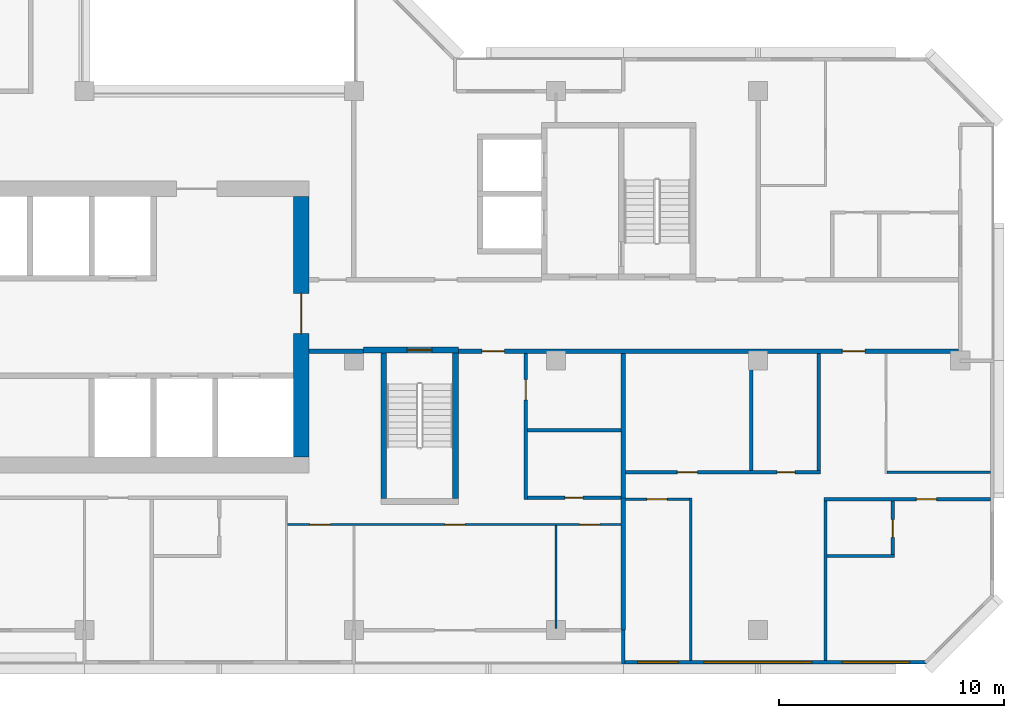
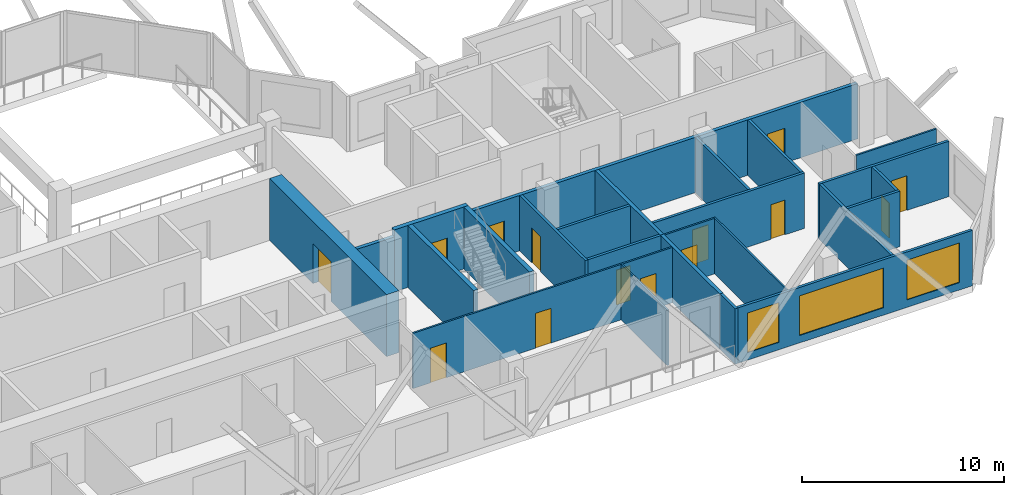
# One storey, part 6 of 15: 25 walls, 14 doors, 3 windows, 17 openings.
"""IFC4 building model written with IfcOpenShell, lengths in metres."""

from ifc_helpers import new_model, si_unit, direction, frame, frame_2d, origin, place, context, subcontext, project, spatial, rectangle, extrude, material, layer, layer_set, type_object, element, fill, save


model = new_model("IFC4")

# Units and contexts
model_context = context("Model", 3, precision=1e-05, world=origin(), true_north=direction((0.0, 1.0)))
body_context = subcontext(model_context, "Body", "Model", "MODEL_VIEW")
ifc_project = project(units=[si_unit("LENGTHUNIT", "METRE"), si_unit("AREAUNIT", "SQUARE_METRE"), si_unit("VOLUMEUNIT", "CUBIC_METRE"), si_unit("PLANEANGLEUNIT", "RADIAN"), si_unit("MASSUNIT", "GRAM", prefix="KILO")], contexts=[model_context])

# Site, building, storey
site_placement = place(None, origin())
site = spatial("IfcSite", under=ifc_project, at=site_placement, CompositionType="ELEMENT")
building_placement = place(site_placement, origin())
building = spatial("IfcBuilding", under=site, at=building_placement, Name="Chenar Terraces", CompositionType="ELEMENT")
storey_placement = place(building_placement, frame((0.0, 0.0, 211.64990234375)))
storey = spatial("IfcBuildingStorey", under=building, at=storey_placement, Name="L49", CompositionType="ELEMENT", Elevation=211.64990234375)

# Wall, opening, door
ifc_material_1 = material(Name="Concrete C60/75", Category="concrete")
ifc_layer_1 = layer(ifc_material_1, 0.25)
ifc_layer_set_1 = layer_set([ifc_layer_1], Name="Concrete C60/75")
wall_type_1 = type_object("IfcWallType", Name="Core wall 250 Concrete C60/75", PredefinedType="SHEAR", material=ifc_layer_set_1)
wall_1_placement = place(storey_placement, frame((36.425048828125, 12.47509765625, 0.0), z_axis=(0.0, 0.0, 1.0), x_axis=(1.0, 0.0, 0.0)))
wall_1 = element("IfcWall", 1, at=wall_1_placement, inside=storey, type_object=wall_type_1, Name="Core wall ST2_N L49", PredefinedType="SHEAR", context=body_context, shape_type="SweptSolid", body=[
    extrude(rectangle(XDim=4.224853515625, YDim=0.25, at=frame_2d((2.1123046875, 0.0))), origin(), (0.0, 0.0, 1.0), 3.75),
])
opening_1_placement = place(wall_1_placement, frame((1.949951171875, 0.0, 0.0)))
opening_1 = element("IfcOpeningElement", 2, at=opening_1_placement, cuts=wall_1, Name="Opening DL49-C7", PredefinedType="OPENING", context=body_context, shape_type="SweptSolid", body=[
    extrude(rectangle(XDim=1.10009765625, YDim=2.199951171875, at=frame_2d((0.550048828125, 1.10009765625))), frame((0.0, 0.135009765625, 0.0), z_axis=(0.0, -1.0, 0.0), x_axis=(1.0, 0.0, 0.0)), (0.0, 0.0, 1.0), 0.27001953125),
])
ifc_material_2 = material(Name="Steel-framed fire-resisting door leaf", Category="steel")
door_type_1 = type_object("IfcDoorType", Name="Stair fire door FD60 1100 x 2200", OperationType="SINGLE_SWING_LEFT", PredefinedType="DOOR", material=ifc_material_2)
door_1_placement = place(opening_1_placement, frame((1.10009765625, 0.0, 0.0), z_axis=(0.0, 0.0, 1.0), x_axis=(-1.0, 0.0, 0.0)))
door_1 = element("IfcDoor", 3, at=door_1_placement, inside=storey, type_object=door_type_1, Name="Stair door DL49-C7", OperationType="SINGLE_SWING_LEFT", OverallHeight=2.199951171875, OverallWidth=1.10009765625, PredefinedType="DOOR", context=body_context, shape_type="SweptSolid", body=[
    extrude(rectangle(XDim=1.10009765625, YDim=2.199951171875, at=frame_2d((0.550048828125, 1.10009765625))), frame((0.0, 0.02490234375, 0.0), z_axis=(0.0, -1.0, 0.0), x_axis=(1.0, 0.0, 0.0)), (0.0, 0.0, 1.0), 0.050048828125),
])
fill(opening_1, door_1)

# Walls
for number, where, z_axis, x_axis, name in (
    (4, (37.324951171875, 5.85009765625, 0.0), (0.0, 0.0, 1.0), (0.0, 1.0, 0.0), "Core wall ST2_W L49"),
    (5, (40.52490234375, 5.85009765625, 0.0), (0.0, 0.0, 1.0), (0.0, 1.0, 0.0), "Core wall ST2_E L49"),
):
    element("IfcWall", number, at=place(storey_placement, frame(where, z_axis=z_axis, x_axis=x_axis)), inside=storey, type_object=wall_type_1, Name=name, PredefinedType="SHEAR", context=body_context, shape_type="SweptSolid", body=[
        extrude(rectangle(XDim=6.5, YDim=0.25, at=frame_2d((3.25, 0.0))), origin(), (0.0, 0.0, 1.0), 3.75),
    ])

# Wall, opening, door
ifc_material_3 = material(Name="Concrete C60/75", Category="concrete")
ifc_layer_2 = layer(ifc_material_3, 0.699951171875)
ifc_layer_set_2 = layer_set([ifc_layer_2], Name="Concrete C60/75")
wall_type_2 = type_object("IfcWallType", Name="Core wall 700 Concrete C60/75", PredefinedType="SHEAR", material=ifc_layer_set_2)
wall_2_placement = place(storey_placement, frame((33.64990234375, 7.699951171875, 0.0), z_axis=(0.0, 0.0, 1.0), x_axis=(0.0, 1.0, 0.0)))
wall_2 = element("IfcWall", 6, at=wall_2_placement, inside=storey, type_object=wall_type_2, Name="Core wall E L49", PredefinedType="SHEAR", context=body_context, shape_type="SweptSolid", body=[
    extrude(rectangle(XDim=11.60009765625, YDim=0.699951171875, at=frame_2d((5.800048828125, 0.0))), origin(), (0.0, 0.0, 1.0), 3.75),
])
opening_2_placement = place(wall_2_placement, frame((5.5, 0.0, 0.0)))
opening_2 = element("IfcOpeningElement", 7, at=opening_2_placement, cuts=wall_2, Name="Opening DL49-C1", PredefinedType="OPENING", context=body_context, shape_type="SweptSolid", body=[
    extrude(rectangle(XDim=1.800048828125, YDim=2.39990234375, at=frame_2d((0.89990234375, 1.199951171875))), frame((0.0, 0.35986328125, 0.0), z_axis=(0.0, -1.0, 0.0), x_axis=(1.0, 0.0, 0.0)), (0.0, 0.0, 1.0), 0.719970703125),
])
ifc_material_4 = material(Name="Steel-framed fire-resisting door leaf", Category="steel")
door_type_2 = type_object("IfcDoorType", Name="Core entrance double fire door FD60 1800 x 2400", OperationType="DOUBLE_DOOR_SINGLE_SWING", PredefinedType="DOOR", material=ifc_material_4)
door_2_placement = place(opening_2_placement, origin())
door_2 = element("IfcDoor", 8, at=door_2_placement, inside=storey, type_object=door_type_2, Name="Core door DL49-C1", OperationType="DOUBLE_DOOR_SINGLE_SWING", OverallHeight=2.39990234375, OverallWidth=1.800048828125, PredefinedType="DOOR", context=body_context, shape_type="SweptSolid", body=[
    extrude(rectangle(XDim=1.800048828125, YDim=2.39990234375, at=frame_2d((0.89990234375, 1.199951171875))), frame((0.0, 0.02490234375, 0.0), z_axis=(0.0, -1.0, 0.0), x_axis=(1.0, 0.0, 0.0)), (0.0, 0.0, 1.0), 0.050048828125),
])
fill(opening_2, door_2)

# Wall
ifc_material_5 = material(Name="Gypsum board on steel studs with fire boards", Category="steel")
ifc_layer_3 = layer(ifc_material_5, 0.199951171875)
ifc_layer_set_3 = layer_set([ifc_layer_3], Name="Gypsum board on steel studs with fire boards")
wall_type_3 = type_object("IfcWallType", Name="Corridor wall 200", PredefinedType="PARTITIONING", material=ifc_layer_set_3)
wall_3_placement = place(storey_placement, frame((34.0, 12.425048828125, 0.0), z_axis=(0.0, 0.0, 1.0), x_axis=(1.0, 0.0, 0.0)))
element("IfcWall", 9, at=wall_3_placement, inside=storey, type_object=wall_type_3, Name="Partition L49-059", PredefinedType="PARTITIONING", context=body_context, shape_type="SweptSolid", body=[
    extrude(rectangle(XDim=2.426025390625, YDim=0.199951171875, at=frame_2d((1.212890625, 0.0))), origin(), (0.0, 0.0, 1.0), 3.35009765625),
])

# Wall, openings, doors
wall_4_placement = place(storey_placement, frame((40.64990234375, 12.425048828125, 0.0), z_axis=(0.0, 0.0, 1.0), x_axis=(1.0, 0.0, 0.0)))
wall_4 = element("IfcWall", 10, at=wall_4_placement, inside=storey, type_object=wall_type_3, Name="Partition L49-063", PredefinedType="PARTITIONING", context=body_context, shape_type="SweptSolid", body=[
    extrude(rectangle(XDim=22.276123046875, YDim=0.199951171875, at=frame_2d((11.13818359375, 0.0))), origin(), (0.0, 0.0, 1.0), 3.35009765625),
])
opening_3_placement = place(wall_4_placement, frame((17.10009765625, 0.0, 0.0)))
opening_3 = element("IfcOpeningElement", 11, at=opening_3_placement, cuts=wall_4, Name="Opening DL49-13", PredefinedType="OPENING", context=body_context, shape_type="SweptSolid", body=[
    extrude(rectangle(XDim=1.0, YDim=2.10009765625, at=frame_2d((0.5, 1.050048828125))), frame((0.0, 0.10986328125, 0.0), z_axis=(0.0, -1.0, 0.0), x_axis=(1.0, 0.0, 0.0)), (0.0, 0.0, 1.0), 0.219970703125),
])
opening_4_placement = place(wall_4_placement, frame((1.050048828125, 0.0, 0.0)))
opening_4 = element("IfcOpeningElement", 12, at=opening_4_placement, cuts=wall_4, Name="Opening DL49-53", PredefinedType="OPENING", context=body_context, shape_type="SweptSolid", body=[
    extrude(rectangle(XDim=1.0, YDim=2.10009765625, at=frame_2d((0.5, 1.050048828125))), frame((0.0, 0.10986328125, 0.0), z_axis=(0.0, -1.0, 0.0), x_axis=(1.0, 0.0, 0.0)), (0.0, 0.0, 1.0), 0.219970703125),
])
ifc_material_6 = material(Name="Steel-framed fire-resisting door leaf", Category="steel")
door_type_3 = type_object("IfcDoorType", Name="Fire door FD30S 1000 x 2100", OperationType="SINGLE_SWING_LEFT", PredefinedType="DOOR", material=ifc_material_6)
door_3_placement = place(opening_3_placement, frame((1.0, 0.0, 0.0), z_axis=(0.0, 0.0, 1.0), x_axis=(-1.0, 0.0, 0.0)))
door_3 = element("IfcDoor", 13, at=door_3_placement, inside=storey, type_object=door_type_3, Name="Door DL49-13", OperationType="SINGLE_SWING_LEFT", OverallHeight=2.10009765625, OverallWidth=1.0, PredefinedType="DOOR", context=body_context, shape_type="SweptSolid", body=[
    extrude(rectangle(XDim=1.0, YDim=2.10009765625, at=frame_2d((0.5, 1.050048828125))), frame((0.0, 0.02490234375, 0.0), z_axis=(0.0, -1.0, 0.0), x_axis=(1.0, 0.0, 0.0)), (0.0, 0.0, 1.0), 0.050048828125),
])
fill(opening_3, door_3)
door_4_placement = place(opening_4_placement, origin())
door_4 = element("IfcDoor", 14, at=door_4_placement, inside=storey, type_object=door_type_3, Name="Door DL49-53", OperationType="SINGLE_SWING_LEFT", OverallHeight=2.10009765625, OverallWidth=1.0, PredefinedType="DOOR", context=body_context, shape_type="SweptSolid", body=[
    extrude(rectangle(XDim=1.0, YDim=2.10009765625, at=frame_2d((0.5, 1.050048828125))), frame((0.0, 0.02490234375, 0.0), z_axis=(0.0, -1.0, 0.0), x_axis=(1.0, 0.0, 0.0)), (0.0, 0.0, 1.0), 0.050048828125),
])
fill(opening_4, door_4)

# Wall, openings, windows
ifc_material_7 = material(Name="Aluminium framed glazing", Category="aluminium")
ifc_layer_4 = layer(ifc_material_7, 0.14990234375)
ifc_layer_set_4 = layer_set([ifc_layer_4], Name="Aluminium framed glazing")
wall_type_4 = type_object("IfcWallType", Name="Glazed flush facade wall 150", PredefinedType="SOLIDWALL", material=ifc_layer_set_4)
wall_5_placement = place(storey_placement, frame((48.074951171875, -1.425048828125, 0.0), z_axis=(0.0, 0.0, 1.0), x_axis=(1.0, 0.0, 0.0)))
wall_5 = element("IfcWall", 15, at=wall_5_placement, inside=storey, type_object=wall_type_4, Name="Glazed flush facade wall", PredefinedType="SOLIDWALL", context=body_context, shape_type="SweptSolid", body=[
    extrude(rectangle(XDim=13.425048828125, YDim=0.14990234375, at=frame_2d((6.71240234375, 0.0))), origin(), (0.0, 0.0, 1.0), 3.35009765625),
])
opening_5_placement = place(wall_5_placement, frame((0.5625, 0.0, 0.449951171875)))
opening_5 = element("IfcOpeningElement", 16, at=opening_5_placement, cuts=wall_5, Name="Opening W180x240", PredefinedType="OPENING", context=body_context, shape_type="SweptSolid", body=[
    extrude(rectangle(XDim=1.800048828125, YDim=2.39990234375, at=frame_2d((0.89990234375, 1.199951171875))), frame((0.0, 0.0849609375, 0.0), z_axis=(0.0, -1.0, 0.0), x_axis=(1.0, 0.0, 0.0)), (0.0, 0.0, 1.0), 0.169921875),
])
opening_6_placement = place(wall_5_placement, frame((3.52490234375, 0.0, 0.449951171875)))
opening_6 = element("IfcOpeningElement", 17, at=opening_6_placement, cuts=wall_5, Name="Opening W480x240", PredefinedType="OPENING", context=body_context, shape_type="SweptSolid", body=[
    extrude(rectangle(XDim=4.800048828125, YDim=2.39990234375, at=frame_2d((2.39990234375, 1.199951171875))), frame((0.0, 0.0849609375, 0.0), z_axis=(0.0, -1.0, 0.0), x_axis=(1.0, 0.0, 0.0)), (0.0, 0.0, 1.0), 0.169921875),
])
opening_7_placement = place(wall_5_placement, frame((9.675048828125, 0.0, 0.449951171875)))
opening_7 = element("IfcOpeningElement", 18, at=opening_7_placement, cuts=wall_5, Name="Opening W300x240", PredefinedType="OPENING", context=body_context, shape_type="SweptSolid", body=[
    extrude(rectangle(XDim=3.0, YDim=2.39990234375, at=frame_2d((1.5, 1.199951171875))), frame((0.0, 0.0849609375, 0.0), z_axis=(0.0, -1.0, 0.0), x_axis=(1.0, 0.0, 0.0)), (0.0, 0.0, 1.0), 0.169921875),
])
ifc_material_8 = material(Name="Low emissivity double glazing, aluminium frame", Category="aluminium")
window_type_1 = type_object("IfcWindowType", Name="Fixed light 1800 x 2400", PartitioningType="SINGLE_PANEL", PredefinedType="WINDOW", material=ifc_material_8)
window_1_placement = place(opening_5_placement, origin())
window_1 = element("IfcWindow", 19, at=window_1_placement, inside=storey, type_object=window_type_1, Name="Window", OverallHeight=2.39990234375, OverallWidth=1.800048828125, PartitioningType="SINGLE_PANEL", PredefinedType="WINDOW", context=body_context, shape_type="SweptSolid", body=[
    extrude(rectangle(XDim=1.800048828125, YDim=2.39990234375, at=frame_2d((0.89990234375, 1.199951171875))), frame((0.0, 0.030029296875, 0.0), z_axis=(0.0, -1.0, 0.0), x_axis=(1.0, 0.0, 0.0)), (0.0, 0.0, 1.0), 0.06005859375),
])
fill(opening_5, window_1)
ifc_material_9 = material(Name="Low emissivity double glazing, aluminium frame", Category="aluminium")
window_type_2 = type_object("IfcWindowType", Name="Fixed light 3000 x 2400", PartitioningType="SINGLE_PANEL", PredefinedType="WINDOW", material=ifc_material_9)
window_2_placement = place(opening_7_placement, origin())
window_2 = element("IfcWindow", 20, at=window_2_placement, inside=storey, type_object=window_type_2, Name="Window", OverallHeight=2.39990234375, OverallWidth=3.0, PartitioningType="SINGLE_PANEL", PredefinedType="WINDOW", context=body_context, shape_type="SweptSolid", body=[
    extrude(rectangle(XDim=3.0, YDim=2.39990234375, at=frame_2d((1.5, 1.199951171875))), frame((0.0, 0.030029296875, 0.0), z_axis=(0.0, -1.0, 0.0), x_axis=(1.0, 0.0, 0.0)), (0.0, 0.0, 1.0), 0.06005859375),
])
fill(opening_7, window_2)
ifc_material_10 = material(Name="Low emissivity double glazing, aluminium frame", Category="aluminium")
window_type_3 = type_object("IfcWindowType", Name="Fixed light 4800 x 2400", PartitioningType="SINGLE_PANEL", PredefinedType="WINDOW", material=ifc_material_10)
window_3_placement = place(opening_6_placement, origin())
window_3 = element("IfcWindow", 21, at=window_3_placement, inside=storey, type_object=window_type_3, Name="Window", OverallHeight=2.39990234375, OverallWidth=4.800048828125, PartitioningType="SINGLE_PANEL", PredefinedType="WINDOW", context=body_context, shape_type="SweptSolid", body=[
    extrude(rectangle(XDim=4.800048828125, YDim=2.39990234375, at=frame_2d((2.39990234375, 1.199951171875))), frame((0.0, 0.030029296875, 0.0), z_axis=(0.0, -1.0, 0.0), x_axis=(1.0, 0.0, 0.0)), (0.0, 0.0, 1.0), 0.06005859375),
])
fill(opening_6, window_3)

# Wall, openings, doors
ifc_material_11 = material(Name="Gypsum board on steel studs", Category="steel")
ifc_layer_5 = layer(ifc_material_11, 0.10009765625)
ifc_layer_set_5 = layer_set([ifc_layer_5], Name="Gypsum board on steel studs")
wall_type_5 = type_object("IfcWallType", Name="Gypsum partition 100", PredefinedType="PARTITIONING", material=ifc_layer_set_5)
wall_6_placement = place(storey_placement, frame((33.050048828125, 4.699951171875, 0.0), z_axis=(0.0, 0.0, 1.0), x_axis=(1.0, 0.0, 0.0)))
wall_6 = element("IfcWall", 22, at=wall_6_placement, inside=storey, type_object=wall_type_5, Name="Partition L49-058", PredefinedType="PARTITIONING", context=body_context, shape_type="SweptSolid", body=[
    extrude(rectangle(XDim=14.849853515625, YDim=0.10009765625, at=frame_2d((7.4248046875, 0.0))), origin(), (0.0, 0.0, 1.0), 3.35009765625),
])
opening_8_placement = place(wall_6_placement, frame((1.0, 0.0, 0.0)))
opening_8 = element("IfcOpeningElement", 23, at=opening_8_placement, cuts=wall_6, Name="Opening DL49-47", PredefinedType="OPENING", context=body_context, shape_type="SweptSolid", body=[
    extrude(rectangle(XDim=0.89990234375, YDim=2.10009765625, at=frame_2d((0.449951171875, 1.050048828125))), frame((0.0, 0.06005859375, 0.0), z_axis=(0.0, -1.0, 0.0), x_axis=(1.0, 0.0, 0.0)), (0.0, 0.0, 1.0), 0.1201171875),
])
opening_9_placement = place(wall_6_placement, frame((13.0, 0.0, 0.0)))
opening_9 = element("IfcOpeningElement", 24, at=opening_9_placement, cuts=wall_6, Name="Opening DL49-48", PredefinedType="OPENING", context=body_context, shape_type="SweptSolid", body=[
    extrude(rectangle(XDim=0.89990234375, YDim=2.10009765625, at=frame_2d((0.449951171875, 1.050048828125))), frame((0.0, 0.06005859375, 0.0), z_axis=(0.0, -1.0, 0.0), x_axis=(1.0, 0.0, 0.0)), (0.0, 0.0, 1.0), 0.1201171875),
])
opening_10_placement = place(wall_6_placement, frame((7.0, 0.0, 0.0)))
opening_10 = element("IfcOpeningElement", 25, at=opening_10_placement, cuts=wall_6, Name="Opening DL49-56", PredefinedType="OPENING", context=body_context, shape_type="SweptSolid", body=[
    extrude(rectangle(XDim=0.89990234375, YDim=2.10009765625, at=frame_2d((0.449951171875, 1.050048828125))), frame((0.0, 0.06005859375, 0.0), z_axis=(0.0, -1.0, 0.0), x_axis=(1.0, 0.0, 0.0)), (0.0, 0.0, 1.0), 0.1201171875),
])
ifc_material_12 = material(Name="Veneered timber door leaf", Category="wood")
door_type_4 = type_object("IfcDoorType", Name="Door 900 x 2100", OperationType="SINGLE_SWING_LEFT", PredefinedType="DOOR", material=ifc_material_12)
door_5_placement = place(opening_8_placement, frame((0.89990234375, 0.0, 0.0), z_axis=(0.0, 0.0, 1.0), x_axis=(-1.0, 0.0, 0.0)))
door_5 = element("IfcDoor", 26, at=door_5_placement, inside=storey, type_object=door_type_4, Name="Door DL49-47", OperationType="SINGLE_SWING_LEFT", OverallHeight=2.10009765625, OverallWidth=0.89990234375, PredefinedType="DOOR", context=body_context, shape_type="SweptSolid", body=[
    extrude(rectangle(XDim=0.89990234375, YDim=2.10009765625, at=frame_2d((0.449951171875, 1.050048828125))), frame((0.0, 0.02490234375, 0.0), z_axis=(0.0, -1.0, 0.0), x_axis=(1.0, 0.0, 0.0)), (0.0, 0.0, 1.0), 0.050048828125),
])
fill(opening_8, door_5)
door_6_placement = place(opening_9_placement, frame((0.89990234375, 0.0, 0.0), z_axis=(0.0, 0.0, 1.0), x_axis=(-1.0, 0.0, 0.0)))
door_6 = element("IfcDoor", 27, at=door_6_placement, inside=storey, type_object=door_type_4, Name="Door DL49-48", OperationType="SINGLE_SWING_LEFT", OverallHeight=2.10009765625, OverallWidth=0.89990234375, PredefinedType="DOOR", context=body_context, shape_type="SweptSolid", body=[
    extrude(rectangle(XDim=0.89990234375, YDim=2.10009765625, at=frame_2d((0.449951171875, 1.050048828125))), frame((0.0, 0.02490234375, 0.0), z_axis=(0.0, -1.0, 0.0), x_axis=(1.0, 0.0, 0.0)), (0.0, 0.0, 1.0), 0.050048828125),
])
fill(opening_9, door_6)
door_7_placement = place(opening_10_placement, frame((0.89990234375, 0.0, 0.0), z_axis=(0.0, 0.0, 1.0), x_axis=(-1.0, 0.0, 0.0)))
door_7 = element("IfcDoor", 28, at=door_7_placement, inside=storey, type_object=door_type_4, Name="Door DL49-56", OperationType="SINGLE_SWING_LEFT", OverallHeight=2.10009765625, OverallWidth=0.89990234375, PredefinedType="DOOR", context=body_context, shape_type="SweptSolid", body=[
    extrude(rectangle(XDim=0.89990234375, YDim=2.10009765625, at=frame_2d((0.449951171875, 1.050048828125))), frame((0.0, 0.02490234375, 0.0), z_axis=(0.0, -1.0, 0.0), x_axis=(1.0, 0.0, 0.0)), (0.0, 0.0, 1.0), 0.050048828125),
])
fill(opening_10, door_7)

# Wall
wall_7_placement = place(storey_placement, frame((45.0, 0.073974609375, 0.0), z_axis=(0.0, 0.0, 1.0), x_axis=(0.0, 1.0, 0.0)))
element("IfcWall", 29, at=wall_7_placement, inside=storey, type_object=wall_type_5, Name="Partition L49-067", PredefinedType="PARTITIONING", context=body_context, shape_type="SweptSolid", body=[
    extrude(rectangle(XDim=4.575927734375, YDim=0.10009765625, at=frame_2d((2.2880859375, 0.0))), origin(), (0.0, 0.0, 1.0), 3.35009765625),
])

# Wall, opening, door
wall_8_placement = place(storey_placement, frame((48.10009765625, 5.824951171875, 0.0), z_axis=(0.0, 0.0, 1.0), x_axis=(1.0, 0.0, 0.0)))
wall_8 = element("IfcWall", 30, at=wall_8_placement, inside=storey, type_object=wall_type_5, Name="Partition L49-071", PredefinedType="PARTITIONING", context=body_context, shape_type="SweptSolid", body=[
    extrude(rectangle(XDim=2.849853515625, YDim=0.10009765625, at=frame_2d((1.4248046875, 0.0))), origin(), (0.0, 0.0, 1.0), 3.35009765625),
])
opening_11_placement = place(wall_8_placement, frame((0.949951171875, 0.0, 0.0)))
opening_11 = element("IfcOpeningElement", 31, at=opening_11_placement, cuts=wall_8, Name="Opening DL49-9", PredefinedType="OPENING", context=body_context, shape_type="SweptSolid", body=[
    extrude(rectangle(XDim=0.89990234375, YDim=2.10009765625, at=frame_2d((0.449951171875, 1.050048828125))), frame((0.0, 0.06005859375, 0.0), z_axis=(0.0, -1.0, 0.0), x_axis=(1.0, 0.0, 0.0)), (0.0, 0.0, 1.0), 0.1201171875),
])
door_8_placement = place(opening_11_placement, frame((0.89990234375, 0.0, 0.0), z_axis=(0.0, 0.0, 1.0), x_axis=(-1.0, 0.0, 0.0)))
door_8 = element("IfcDoor", 32, at=door_8_placement, inside=storey, type_object=door_type_4, Name="Door DL49-9", OperationType="SINGLE_SWING_LEFT", OverallHeight=2.10009765625, OverallWidth=0.89990234375, PredefinedType="DOOR", context=body_context, shape_type="SweptSolid", body=[
    extrude(rectangle(XDim=0.89990234375, YDim=2.10009765625, at=frame_2d((0.449951171875, 1.050048828125))), frame((0.0, 0.02490234375, 0.0), z_axis=(0.0, -1.0, 0.0), x_axis=(1.0, 0.0, 0.0)), (0.0, 0.0, 1.0), 0.050048828125),
])
fill(opening_11, door_8)

# Walls
wall_9_placement = place(storey_placement, frame((51.0, -1.35009765625, 0.0), z_axis=(0.0, 0.0, 1.0), x_axis=(0.0, 1.0, 0.0)))
element("IfcWall", 33, at=wall_9_placement, inside=storey, type_object=wall_type_5, Name="Partition L49-073", PredefinedType="PARTITIONING", context=body_context, shape_type="SweptSolid", body=[
    extrude(rectangle(XDim=7.22509765625, YDim=0.10009765625, at=frame_2d((3.612548828125, 0.0))), origin(), (0.0, 0.0, 1.0), 3.35009765625),
])
wall_10_placement = place(storey_placement, frame((59.75, 7.02490234375, 0.0), z_axis=(0.0, 0.0, 1.0), x_axis=(1.0, 0.0, 0.0)))
element("IfcWall", 34, at=wall_10_placement, inside=storey, type_object=wall_type_5, Name="Partition L49-087", PredefinedType="PARTITIONING", context=body_context, shape_type="SweptSolid", body=[
    extrude(rectangle(XDim=4.60009765625, YDim=0.10009765625, at=frame_2d((2.300048828125, 0.0))), origin(), (0.0, 0.0, 1.0), 3.35009765625),
])
ifc_material_13 = material(Name="Terracotta cladding on insulated backing", Category="masonry")
ifc_layer_6 = layer(ifc_material_13, 0.14990234375)
ifc_layer_set_6 = layer_set([ifc_layer_6], Name="Terracotta cladding on insulated backing")
wall_type_6 = type_object("IfcWallType", Name="Loggia return wall 150", PredefinedType="SOLIDWALL", material=ifc_layer_set_6)
wall_11_placement = place(storey_placement, frame((48.0, -1.5, 0.0), z_axis=(0.0, 0.0, 1.0), x_axis=(0.0, 1.0, 0.0)))
element("IfcWall", 35, at=wall_11_placement, inside=storey, type_object=wall_type_6, Name="Loggia return wall", PredefinedType="SOLIDWALL", context=body_context, shape_type="SweptSolid", body=[
    extrude(rectangle(XDim=1.5, YDim=0.14990234375, at=frame_2d((0.75, 0.0))), origin(), (0.0, 0.0, 1.0), 3.35009765625),
])
ifc_material_14 = material(Name="Twin gypsum board on steel studs with mineral wool", Category="steel")
ifc_layer_7 = layer(ifc_material_14, 0.199951171875)
ifc_layer_set_7 = layer_set([ifc_layer_7], Name="Twin gypsum board on steel studs with mineral wool")
wall_type_7 = type_object("IfcWallType", Name="Unit demising wall 200", PredefinedType="PARTITIONING", material=ifc_layer_set_7)
wall_12_placement = place(storey_placement, frame((48.0, 0.0, 0.0), z_axis=(0.0, 0.0, 1.0), x_axis=(0.0, 1.0, 0.0)))
element("IfcWall", 36, at=wall_12_placement, inside=storey, type_object=wall_type_7, Name="Partition L49-069", PredefinedType="PARTITIONING", context=body_context, shape_type="SweptSolid", body=[
    extrude(rectangle(XDim=5.875, YDim=0.199951171875, at=frame_2d((2.9375, 0.0))), origin(), (0.0, 0.0, 1.0), 3.35009765625),
])
wall_13_placement = place(storey_placement, frame((48.0, 5.824951171875, 0.0), z_axis=(0.0, 0.0, 1.0), x_axis=(0.0, 1.0, 0.0)))
element("IfcWall", 37, at=wall_13_placement, inside=storey, type_object=wall_type_7, Name="Partition L49-070", PredefinedType="PARTITIONING", context=body_context, shape_type="SweptSolid", body=[
    extrude(rectangle(XDim=6.5, YDim=0.199951171875, at=frame_2d((3.25, 0.0))), origin(), (0.0, 0.0, 1.0), 3.35009765625),
])

# Wall, opening, door
ifc_material_15 = material(Name="Moisture-resistant gypsum board on steel studs", Category="steel")
ifc_layer_8 = layer(ifc_material_15, 0.14990234375)
ifc_layer_set_8 = layer_set([ifc_layer_8], Name="Moisture-resistant gypsum board on steel studs")
wall_type_8 = type_object("IfcWallType", Name="Wet-room partition 150", PredefinedType="PARTITIONING", material=ifc_layer_set_8)
wall_14_placement = place(storey_placement, frame((43.64990234375, 5.824951171875, 0.0), z_axis=(0.0, 0.0, 1.0), x_axis=(0.0, 1.0, 0.0)))
wall_14 = element("IfcWall", 38, at=wall_14_placement, inside=storey, type_object=wall_type_8, Name="Partition L49-064", PredefinedType="PARTITIONING", context=body_context, shape_type="SweptSolid", body=[
    extrude(rectangle(XDim=6.5, YDim=0.14990234375, at=frame_2d((3.25, 0.0))), origin(), (0.0, 0.0, 1.0), 3.35009765625),
])
opening_12_placement = place(wall_14_placement, frame((4.425048828125, 0.0, 0.0)))
opening_12 = element("IfcOpeningElement", 39, at=opening_12_placement, cuts=wall_14, Name="Opening DL49-54", PredefinedType="OPENING", context=body_context, shape_type="SweptSolid", body=[
    extrude(rectangle(XDim=0.89990234375, YDim=2.10009765625, at=frame_2d((0.449951171875, 1.050048828125))), frame((0.0, 0.0849609375, 0.0), z_axis=(0.0, -1.0, 0.0), x_axis=(1.0, 0.0, 0.0)), (0.0, 0.0, 1.0), 0.169921875),
])
door_9_placement = place(opening_12_placement, frame((0.89990234375, 0.0, 0.0), z_axis=(0.0, 0.0, 1.0), x_axis=(-1.0, 0.0, 0.0)))
door_9 = element("IfcDoor", 40, at=door_9_placement, inside=storey, type_object=door_type_4, Name="Door DL49-54", OperationType="SINGLE_SWING_LEFT", OverallHeight=2.10009765625, OverallWidth=0.89990234375, PredefinedType="DOOR", context=body_context, shape_type="SweptSolid", body=[
    extrude(rectangle(XDim=0.89990234375, YDim=2.10009765625, at=frame_2d((0.449951171875, 1.050048828125))), frame((0.0, 0.02490234375, 0.0), z_axis=(0.0, -1.0, 0.0), x_axis=(1.0, 0.0, 0.0)), (0.0, 0.0, 1.0), 0.050048828125),
])
fill(opening_12, door_9)

wall_15_placement = place(storey_placement, frame((43.72509765625, 5.89990234375, 0.0), z_axis=(0.0, 0.0, 1.0), x_axis=(1.0, 0.0, 0.0)))
wall_15 = element("IfcWall", 41, at=wall_15_placement, inside=storey, type_object=wall_type_8, Name="Partition L49-065", PredefinedType="PARTITIONING", context=body_context, shape_type="SweptSolid", body=[
    extrude(rectangle(XDim=4.1748046875, YDim=0.14990234375, at=frame_2d((2.08740234375, 0.0))), origin(), (0.0, 0.0, 1.0), 3.35009765625),
])
opening_13_placement = place(wall_15_placement, frame((1.675048828125, 0.0, 0.0)))
opening_13 = element("IfcOpeningElement", 42, at=opening_13_placement, cuts=wall_15, Name="Opening DL49-44", PredefinedType="OPENING", context=body_context, shape_type="SweptSolid", body=[
    extrude(rectangle(XDim=0.800048828125, YDim=2.10009765625, at=frame_2d((0.39990234375, 1.050048828125))), frame((0.0, 0.0849609375, 0.0), z_axis=(0.0, -1.0, 0.0), x_axis=(1.0, 0.0, 0.0)), (0.0, 0.0, 1.0), 0.169921875),
])
ifc_material_16 = material(Name="Veneered timber door leaf", Category="wood")
door_type_5 = type_object("IfcDoorType", Name="Door 800 x 2100", OperationType="SINGLE_SWING_LEFT", PredefinedType="DOOR", material=ifc_material_16)
door_10_placement = place(opening_13_placement, origin())
door_10 = element("IfcDoor", 43, at=door_10_placement, inside=storey, type_object=door_type_5, Name="Door DL49-44", OperationType="SINGLE_SWING_LEFT", OverallHeight=2.10009765625, OverallWidth=0.800048828125, PredefinedType="DOOR", context=body_context, shape_type="SweptSolid", body=[
    extrude(rectangle(XDim=0.800048828125, YDim=2.10009765625, at=frame_2d((0.39990234375, 1.050048828125))), frame((0.0, 0.02490234375, 0.0), z_axis=(0.0, -1.0, 0.0), x_axis=(1.0, 0.0, 0.0)), (0.0, 0.0, 1.0), 0.050048828125),
])
fill(opening_13, door_10)

# Wall
wall_16_placement = place(storey_placement, frame((43.72509765625, 8.89990234375, 0.0), z_axis=(0.0, 0.0, 1.0), x_axis=(1.0, 0.0, 0.0)))
element("IfcWall", 44, at=wall_16_placement, inside=storey, type_object=wall_type_8, Name="Partition L49-066", PredefinedType="PARTITIONING", context=body_context, shape_type="SweptSolid", body=[
    extrude(rectangle(XDim=4.1748046875, YDim=0.14990234375, at=frame_2d((2.08740234375, 0.0))), origin(), (0.0, 0.0, 1.0), 3.35009765625),
])

# Wall, openings, doors
wall_17_placement = place(storey_placement, frame((48.10009765625, 7.02490234375, 0.0), z_axis=(0.0, 0.0, 1.0), x_axis=(1.0, 0.0, 0.0)))
wall_17 = element("IfcWall", 45, at=wall_17_placement, inside=storey, type_object=wall_type_8, Name="Partition L49-072", PredefinedType="PARTITIONING", context=body_context, shape_type="SweptSolid", body=[
    extrude(rectangle(XDim=8.6748046875, YDim=0.14990234375, at=frame_2d((4.33740234375, 0.0))), origin(), (0.0, 0.0, 1.0), 3.35009765625),
])
opening_14_placement = place(wall_17_placement, frame((6.75, 0.0, 0.0)))
opening_14 = element("IfcOpeningElement", 46, at=opening_14_placement, cuts=wall_17, Name="Opening DL49-8", PredefinedType="OPENING", context=body_context, shape_type="SweptSolid", body=[
    extrude(rectangle(XDim=0.800048828125, YDim=2.10009765625, at=frame_2d((0.39990234375, 1.050048828125))), frame((0.0, 0.0849609375, 0.0), z_axis=(0.0, -1.0, 0.0), x_axis=(1.0, 0.0, 0.0)), (0.0, 0.0, 1.0), 0.169921875),
])
opening_15_placement = place(wall_17_placement, frame((2.300048828125, 0.0, 0.0)))
opening_15 = element("IfcOpeningElement", 47, at=opening_15_placement, cuts=wall_17, Name="Opening DL49-12", PredefinedType="OPENING", context=body_context, shape_type="SweptSolid", body=[
    extrude(rectangle(XDim=0.89990234375, YDim=2.10009765625, at=frame_2d((0.449951171875, 1.050048828125))), frame((0.0, 0.0849609375, 0.0), z_axis=(0.0, -1.0, 0.0), x_axis=(1.0, 0.0, 0.0)), (0.0, 0.0, 1.0), 0.169921875),
])
door_11_placement = place(opening_14_placement, origin())
door_11 = element("IfcDoor", 48, at=door_11_placement, inside=storey, type_object=door_type_5, Name="Door DL49-8", OperationType="SINGLE_SWING_RIGHT", OverallHeight=2.10009765625, OverallWidth=0.800048828125, PredefinedType="DOOR", context=body_context, shape_type="SweptSolid", body=[
    extrude(rectangle(XDim=0.800048828125, YDim=2.10009765625, at=frame_2d((0.39990234375, 1.050048828125))), frame((0.0, 0.02490234375, 0.0), z_axis=(0.0, -1.0, 0.0), x_axis=(1.0, 0.0, 0.0)), (0.0, 0.0, 1.0), 0.050048828125),
])
fill(opening_14, door_11)
door_12_placement = place(opening_15_placement, origin())
door_12 = element("IfcDoor", 49, at=door_12_placement, inside=storey, type_object=door_type_4, Name="Door DL49-12", OperationType="SINGLE_SWING_LEFT", OverallHeight=2.10009765625, OverallWidth=0.89990234375, PredefinedType="DOOR", context=body_context, shape_type="SweptSolid", body=[
    extrude(rectangle(XDim=0.89990234375, YDim=2.10009765625, at=frame_2d((0.449951171875, 1.050048828125))), frame((0.0, 0.02490234375, 0.0), z_axis=(0.0, -1.0, 0.0), x_axis=(1.0, 0.0, 0.0)), (0.0, 0.0, 1.0), 0.050048828125),
])
fill(opening_15, door_12)

# Walls
for number, where, z_axis, x_axis, name in (
    (50, (53.699951171875, 7.10009765625, 0.0), (0.0, 0.0, 1.0), (0.0, 1.0, 0.0), "Partition L49-075"),
    (51, (56.699951171875, 7.10009765625, 0.0), (0.0, 0.0, 1.0), (0.0, 1.0, 0.0), "Partition L49-078"),
):
    element("IfcWall", number, at=place(storey_placement, frame(where, z_axis=z_axis, x_axis=x_axis)), inside=storey, type_object=wall_type_8, Name=name, PredefinedType="PARTITIONING", context=body_context, shape_type="SweptSolid", body=[
        extrude(rectangle(XDim=5.224853515625, YDim=0.14990234375, at=frame_2d((2.6123046875, 0.0))), origin(), (0.0, 0.0, 1.0), 3.35009765625),
    ])

# Wall, opening, door
wall_18_placement = place(storey_placement, frame((56.925048828125, 5.824951171875, 0.0), z_axis=(0.0, 0.0, 1.0), x_axis=(1.0, 0.0, 0.0)))
wall_18 = element("IfcWall", 52, at=wall_18_placement, inside=storey, type_object=wall_type_8, Name="Partition L49-079", PredefinedType="PARTITIONING", context=body_context, shape_type="SweptSolid", body=[
    extrude(rectangle(XDim=7.425048828125, YDim=0.14990234375, at=frame_2d((3.71240234375, 0.0))), origin(), (0.0, 0.0, 1.0), 3.35009765625),
])
opening_16_placement = place(wall_18_placement, frame((4.125, 0.0, 0.0)))
opening_16 = element("IfcOpeningElement", 53, at=opening_16_placement, cuts=wall_18, Name="Opening DL49-10", PredefinedType="OPENING", context=body_context, shape_type="SweptSolid", body=[
    extrude(rectangle(XDim=0.89990234375, YDim=2.10009765625, at=frame_2d((0.449951171875, 1.050048828125))), frame((0.0, 0.0849609375, 0.0), z_axis=(0.0, -1.0, 0.0), x_axis=(1.0, 0.0, 0.0)), (0.0, 0.0, 1.0), 0.169921875),
])
door_13_placement = place(opening_16_placement, frame((0.89990234375, 0.0, 0.0), z_axis=(0.0, 0.0, 1.0), x_axis=(-1.0, 0.0, 0.0)))
door_13 = element("IfcDoor", 54, at=door_13_placement, inside=storey, type_object=door_type_4, Name="Door DL49-10", OperationType="SINGLE_SWING_RIGHT", OverallHeight=2.10009765625, OverallWidth=0.89990234375, PredefinedType="DOOR", context=body_context, shape_type="SweptSolid", body=[
    extrude(rectangle(XDim=0.89990234375, YDim=2.10009765625, at=frame_2d((0.449951171875, 1.050048828125))), frame((0.0, 0.02490234375, 0.0), z_axis=(0.0, -1.0, 0.0), x_axis=(1.0, 0.0, 0.0)), (0.0, 0.0, 1.0), 0.050048828125),
])
fill(opening_16, door_13)

# Walls
wall_19_placement = place(storey_placement, frame((57.0, -1.35009765625, 0.0), z_axis=(0.0, 0.0, 1.0), x_axis=(0.0, 1.0, 0.0)))
element("IfcWall", 55, at=wall_19_placement, inside=storey, type_object=wall_type_8, Name="Partition L49-080", PredefinedType="PARTITIONING", context=body_context, shape_type="SweptSolid", body=[
    extrude(rectangle(XDim=7.10009765625, YDim=0.14990234375, at=frame_2d((3.550048828125, 0.0))), origin(), (0.0, 0.0, 1.0), 3.35009765625),
])
wall_20_placement = place(storey_placement, frame((57.074951171875, 3.300048828125, 0.0), z_axis=(0.0, 0.0, 1.0), x_axis=(1.0, 0.0, 0.0)))
element("IfcWall", 56, at=wall_20_placement, inside=storey, type_object=wall_type_8, Name="Partition L49-082", PredefinedType="PARTITIONING", context=body_context, shape_type="SweptSolid", body=[
    extrude(rectangle(XDim=3.0, YDim=0.14990234375, at=frame_2d((1.5, 0.0))), origin(), (0.0, 0.0, 1.0), 3.35009765625),
])

# Wall, opening, door
wall_21_placement = place(storey_placement, frame((60.0, 3.375, 0.0), z_axis=(0.0, 0.0, 1.0), x_axis=(0.0, 1.0, 0.0)))
wall_21 = element("IfcWall", 57, at=wall_21_placement, inside=storey, type_object=wall_type_8, Name="Partition L49-088", PredefinedType="PARTITIONING", context=body_context, shape_type="SweptSolid", body=[
    extrude(rectangle(XDim=2.375, YDim=0.14990234375, at=frame_2d((1.1875, 0.0))), origin(), (0.0, 0.0, 1.0), 3.35009765625),
])
opening_17_placement = place(wall_21_placement, frame((0.75, 0.0, 0.0)))
opening_17 = element("IfcOpeningElement", 58, at=opening_17_placement, cuts=wall_21, Name="Opening DL49-11", PredefinedType="OPENING", context=body_context, shape_type="SweptSolid", body=[
    extrude(rectangle(XDim=0.800048828125, YDim=2.10009765625, at=frame_2d((0.39990234375, 1.050048828125))), frame((0.0, 0.0849609375, 0.0), z_axis=(0.0, -1.0, 0.0), x_axis=(1.0, 0.0, 0.0)), (0.0, 0.0, 1.0), 0.169921875),
])
door_14_placement = place(opening_17_placement, origin())
door_14 = element("IfcDoor", 59, at=door_14_placement, inside=storey, type_object=door_type_5, Name="Door DL49-11", OperationType="SINGLE_SWING_LEFT", OverallHeight=2.10009765625, OverallWidth=0.800048828125, PredefinedType="DOOR", context=body_context, shape_type="SweptSolid", body=[
    extrude(rectangle(XDim=0.800048828125, YDim=2.10009765625, at=frame_2d((0.39990234375, 1.050048828125))), frame((0.0, 0.02490234375, 0.0), z_axis=(0.0, -1.0, 0.0), x_axis=(1.0, 0.0, 0.0)), (0.0, 0.0, 1.0), 0.050048828125),
])
fill(opening_17, door_14)

save(model, "model.ifc")
